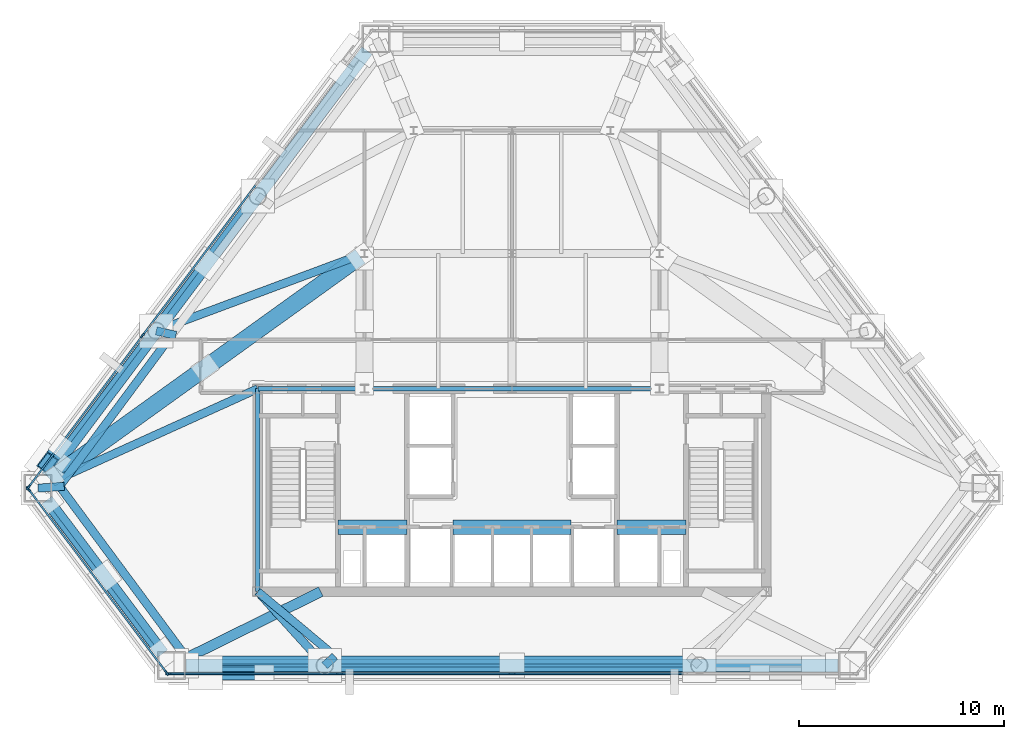
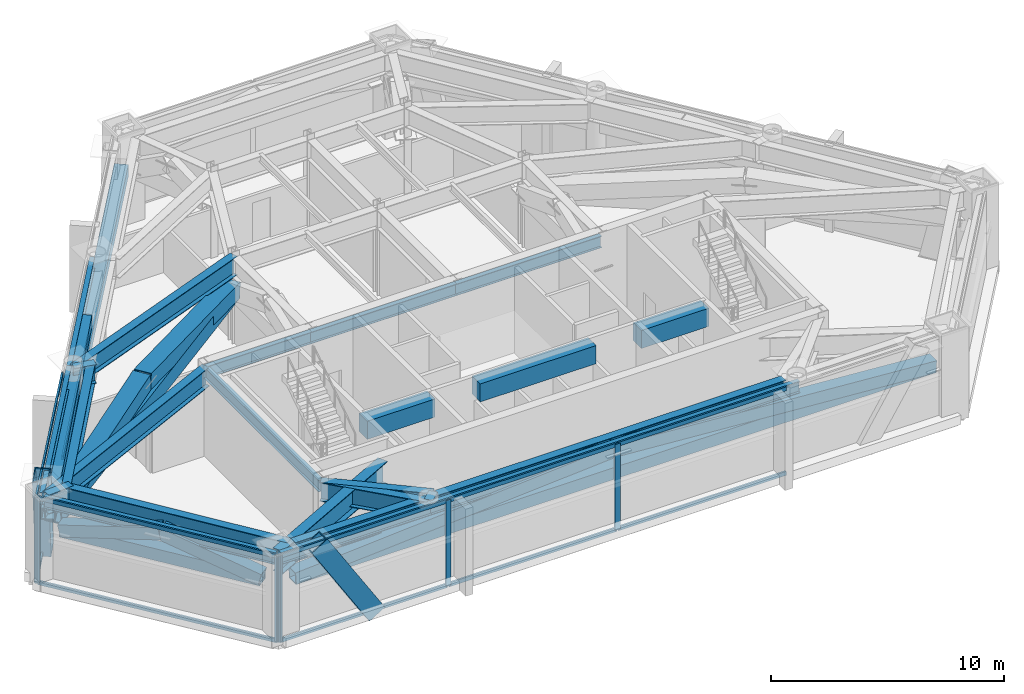
# One storey, part 2 of 9: 31 members, 24 beams, 3 elements without a shape of their own.
"""IFC4 building model written with IfcOpenShell, lengths in metres."""

from ifc_helpers import new_model, si_unit, direction, frame, origin, origin_2d, place, context, subcontext, project, spatial, rectangle, hollow_rectangle, i_section, extrude, material, layer, layer_set, material_profile, profile_set, type_object, element, aggregate, save


model = new_model("IFC4")

# Units and contexts
model_context = context("Model", 3, precision=1e-05, world=origin(), true_north=direction((0.0, 1.0)))
body_context = subcontext(model_context, "Body", "Model", "MODEL_VIEW")
ifc_project = project(units=[si_unit("LENGTHUNIT", "METRE"), si_unit("AREAUNIT", "SQUARE_METRE"), si_unit("VOLUMEUNIT", "CUBIC_METRE"), si_unit("PLANEANGLEUNIT", "RADIAN"), si_unit("MASSUNIT", "GRAM", prefix="KILO")], contexts=[model_context])

# Site, building, storey
site_placement = place(None, origin())
site = spatial("IfcSite", under=ifc_project, at=site_placement, CompositionType="ELEMENT")
building_placement = place(site_placement, origin())
building = spatial("IfcBuilding", under=site, at=building_placement, Name="Talgorran Terracotta Tower", CompositionType="ELEMENT")
storey_placement = place(building_placement, frame((0.0, 0.0, 90.0)))
storey = spatial("IfcBuildingStorey", under=building, at=storey_placement, Name="L23", CompositionType="ELEMENT", Elevation=90.0)

# Beams
ifc_material_1 = material(Name="Steel Grade 350 (350L0)", Category="steel")
ifc_material_profile_1 = material_profile(ifc_material_1, i_section(OverallWidth=0.39990234375, OverallDepth=1.0, WebThickness=0.01611328125, FlangeThickness=0.031005859375, at=origin_2d()), Name="1000WB296")
ifc_profile_set_1 = profile_set([ifc_material_profile_1], Name="Steel Grade 350 (350L0)")
beam_type_1 = type_object("IfcBeamType", Name="BM_1000WB296", PredefinedType="BEAM", material=ifc_profile_set_1)
beam_1_placement = place(storey_placement, frame((-9.1376953125, -17.7021484375, 4.02001953125), z_axis=(-0.671276308116, 0.741207203259, 0.0), x_axis=(-0.741207203259, -0.671276308116, 0.0)))
element("IfcBeam", 1, at=beam_1_placement, inside=storey, type_object=beam_type_1, Name="L23 South-West Core Tie Beam", PredefinedType="BEAM", context=body_context, shape_type="SweptSolid", body=[
    extrude(i_section(OverallWidth=0.39990234375, OverallDepth=1.0, WebThickness=0.01611328125, FlangeThickness=0.031005859375, at=origin_2d()), origin(), (0.0, 0.0, 1.0), 4.859619140625),
])
beam_2_placement = place(storey_placement, frame((-21.988525390625, -9.068603515625, 4.02001953125), z_axis=(0.595169259298, -0.803600368832, 0.0), x_axis=(0.803600368832, 0.595169259298, 0.0)))
element("IfcBeam", 2, at=beam_2_placement, inside=storey, type_object=beam_type_1, Name="L23 Setback Inner Spandrel Girder 1", PredefinedType="BEAM", context=body_context, shape_type="SweptSolid", body=[
    extrude(i_section(OverallWidth=0.39990234375, OverallDepth=1.0, WebThickness=0.01611328125, FlangeThickness=0.031005859375, at=origin_2d()), origin(), (0.0, 0.0, 1.0), 10.317138671875),
])
beam_3_placement = place(storey_placement, frame((-15.70361328125, -17.43212890625, 4.02001953125), z_axis=(1.0, 0.0, 0.0), x_axis=(0.0, 1.0, 0.0)))
element("IfcBeam", 3, at=beam_3_placement, inside=storey, type_object=beam_type_1, Name="L23 Setback Inner Spandrel Girder 2", PredefinedType="BEAM", context=body_context, shape_type="SweptSolid", body=[
    extrude(i_section(OverallWidth=0.39990234375, OverallDepth=1.0, WebThickness=0.01611328125, FlangeThickness=0.031005859375, at=origin_2d()), origin(), (0.0, 0.0, 1.0), 7.066650390625),
])
beam_4_placement = place(storey_placement, frame((-8.636962890625, -17.43212890625, 4.02001953125), z_axis=(1.0, 0.0, 0.0), x_axis=(0.0, 1.0, 0.0)))
element("IfcBeam", 4, at=beam_4_placement, inside=storey, type_object=beam_type_1, Name="L23 Setback Inner Spandrel Girder 3", PredefinedType="BEAM", context=body_context, shape_type="SweptSolid", body=[
    extrude(i_section(OverallWidth=0.39990234375, OverallDepth=1.0, WebThickness=0.01611328125, FlangeThickness=0.031005859375, at=origin_2d()), origin(), (0.0, 0.0, 1.0), 17.27392578125),
])
beam_5_placement = place(storey_placement, frame((-16.535400390625, -1.49169921875, 4.02001953125), z_axis=(-0.595171471605, -0.80359873033, 0.0), x_axis=(0.80359873033, -0.595171471605, 0.0)))
element("IfcBeam", 5, at=beam_5_placement, inside=storey, type_object=beam_type_1, Name="L23 Setback Inner Spandrel Girder 12", PredefinedType="BEAM", context=body_context, shape_type="SweptSolid", body=[
    extrude(i_section(OverallWidth=0.39990234375, OverallDepth=1.0, WebThickness=0.01611328125, FlangeThickness=0.031005859375, at=origin_2d()), origin(), (0.0, 0.0, 1.0), 9.162353515625),
])
beam_6_placement = place(storey_placement, frame((-23.119384765625, -9.0517578125, 4.02001953125), z_axis=(0.997501168937, 0.070649967938, 0.0), x_axis=(-0.070649967938, 0.997501168937, 0.0)))
element("IfcBeam", 6, at=beam_6_placement, inside=storey, type_object=beam_type_1, Name="L23 Perimeter Step Girder 1A", PredefinedType="BEAM", context=body_context, shape_type="SweptSolid", body=[
    extrude(i_section(OverallWidth=0.39990234375, OverallDepth=1.0, WebThickness=0.01611328125, FlangeThickness=0.031005859375, at=origin_2d()), origin(), (0.0, 0.0, 1.0), 1.278564453125),
])
beam_7_placement = place(storey_placement, frame((-9.1376953125, -17.7021484375, 4.02001953125), z_axis=(0.743816871695, 0.668383468812, 0.0), x_axis=(-0.668383468812, 0.743816871695, 0.0)))
element("IfcBeam", 7, at=beam_7_placement, inside=storey, type_object=beam_type_1, Name="L23 Perimeter Step Girder 3A", PredefinedType="BEAM", context=body_context, shape_type="SweptSolid", body=[
    extrude(i_section(OverallWidth=0.39990234375, OverallDepth=1.0, WebThickness=0.01611328125, FlangeThickness=0.031005859375, at=origin_2d()), origin(), (0.0, 0.0, 1.0), 0.673095703125),
])
beam_8_placement = place(storey_placement, frame((-8.636962890625, -17.252197265625, 4.02001953125), z_axis=(-0.766584003148, 0.642144038451, 0.0), x_axis=(-0.642144038451, -0.766584003148, 0.0)))
element("IfcBeam", 8, at=beam_8_placement, inside=storey, type_object=beam_type_1, Name="L23 Perimeter Step Girder 3B", PredefinedType="BEAM", context=body_context, shape_type="SweptSolid", body=[
    extrude(i_section(OverallWidth=0.39990234375, OverallDepth=1.0, WebThickness=0.01611328125, FlangeThickness=0.031005859375, at=origin_2d()), origin(), (0.0, 0.0, 1.0), 4.90869140625),
])
beam_9_placement = place(storey_placement, frame((-17.3505859375, -1.380859375, 4.02001953125), z_axis=(0.975154782361, -0.221524604591, 0.0), x_axis=(0.221524604591, 0.975154782361, 0.0)))
element("IfcBeam", 9, at=beam_9_placement, inside=storey, type_object=beam_type_1, Name="L23 Perimeter Step Girder 12A", PredefinedType="BEAM", context=body_context, shape_type="SweptSolid", body=[
    extrude(i_section(OverallWidth=0.39990234375, OverallDepth=1.0, WebThickness=0.01611328125, FlangeThickness=0.031005859375, at=origin_2d()), origin(), (0.0, 0.0, 1.0), 0.984130859375),
])
beam_10_placement = place(storey_placement, frame((-7.199951171875, 2.39990234375, 4.02001953125), z_axis=(-0.93710770278, -0.34904033204, 0.0), x_axis=(0.34904033204, -0.93710770278, 0.0)))
element("IfcBeam", 10, at=beam_10_placement, inside=storey, type_object=beam_type_1, Name="L23 Floor Girder G06", PredefinedType="BEAM", context=body_context, shape_type="SweptSolid", body=[
    extrude(i_section(OverallWidth=0.39990234375, OverallDepth=1.0, WebThickness=0.01611328125, FlangeThickness=0.031005859375, at=origin_2d()), origin(), (0.0, 0.0, 1.0), 10.831787109375),
])
beam_11_placement = place(storey_placement, frame((-12.39990234375, -4.199951171875, 4.02001953125), z_axis=(-0.911027575062, -0.412345434651, 0.0), x_axis=(0.412345434651, -0.911027575062, 0.0)))
element("IfcBeam", 11, at=beam_11_placement, inside=storey, type_object=beam_type_1, Name="L23 Floor Girder G17", PredefinedType="BEAM", context=body_context, shape_type="SweptSolid", body=[
    extrude(i_section(OverallWidth=0.39990234375, OverallDepth=1.0, WebThickness=0.01611328125, FlangeThickness=0.031005859375, at=origin_2d()), origin(), (0.0, 0.0, 1.0), 11.766357421875),
])
ifc_material_profile_2 = material_profile(ifc_material_1, i_section(OverallWidth=0.5, OverallDepth=1.199951171875, WebThickness=0.01611328125, FlangeThickness=0.035888671875, at=origin_2d()), Name="1200WB392")
ifc_profile_set_2 = profile_set([ifc_material_profile_2], Name="Steel Grade 350 (350L0)")
beam_type_2 = type_object("IfcBeamType", Name="BM_1200WB392", PredefinedType="BEAM", material=ifc_profile_set_2)
beam_12_placement = place(storey_placement, frame((-16.61376953125, -17.7021484375, 3.919921875), z_axis=(0.896430694935, 0.443183945082, 0.0), x_axis=(-0.443183945082, 0.896430694935, 0.0)))
element("IfcBeam", 12, at=beam_12_placement, inside=storey, type_object=beam_type_2, Name="L23 Perimeter Step Girder 2", PredefinedType="BEAM", context=body_context, shape_type="SweptSolid", body=[
    extrude(i_section(OverallWidth=0.5, OverallDepth=1.199951171875, WebThickness=0.01611328125, FlangeThickness=0.035888671875, at=origin_2d()), origin(), (0.0, 0.0, 1.0), 8.127685546875),
])
ifc_material_2 = material(Name="Concrete C65/80", Category="concrete")
ifc_material_profile_3 = material_profile(ifc_material_2, rectangle(XDim=0.699951171875, YDim=0.949951171875, at=origin_2d()), Name="RCCB700X950")
ifc_profile_set_3 = profile_set([ifc_material_profile_3], Name="Concrete C65/80")
beam_type_3 = type_object("IfcBeamType", Name="BM_CB_700X950", PredefinedType="LINTEL", material=ifc_profile_set_3)
beam_13_placement = place(storey_placement, frame((-8.47998046875, -10.949951171875, 4.044921875), z_axis=(1.0, 0.0, 0.0), x_axis=(0.0, 1.0, 0.0)))
element("IfcBeam", 13, at=beam_13_placement, inside=storey, type_object=beam_type_3, Name="L23 Core Shear-Wall Coupling Beam CB1", PredefinedType="LINTEL", context=body_context, shape_type="SweptSolid", body=[
    extrude(rectangle(XDim=0.699951171875, YDim=0.949951171875, at=origin_2d()), origin(), (0.0, 0.0, 1.0), 3.35986328125),
])
beam_14_placement = place(storey_placement, frame((-2.8798828125, -10.949951171875, 4.044921875), z_axis=(1.0, 0.0, 0.0), x_axis=(0.0, 1.0, 0.0)))
element("IfcBeam", 14, at=beam_14_placement, inside=storey, type_object=beam_type_3, Name="L23 Core Shear-Wall Coupling Beam CB2", PredefinedType="LINTEL", context=body_context, shape_type="SweptSolid", body=[
    extrude(rectangle(XDim=0.699951171875, YDim=0.949951171875, at=origin_2d()), origin(), (0.0, 0.0, 1.0), 5.759765625),
])
beam_15_placement = place(storey_placement, frame((5.1201171875, -10.949951171875, 4.044921875), z_axis=(1.0, 0.0, 0.0), x_axis=(0.0, 1.0, 0.0)))
element("IfcBeam", 15, at=beam_15_placement, inside=storey, type_object=beam_type_3, Name="L23 Core Shear-Wall Coupling Beam CB3", PredefinedType="LINTEL", context=body_context, shape_type="SweptSolid", body=[
    extrude(rectangle(XDim=0.699951171875, YDim=0.949951171875, at=origin_2d()), origin(), (0.0, 0.0, 1.0), 3.35986328125),
])
ifc_material_3 = material(Name="Steel S355 (300PLUS)", Category="steel")
ifc_material_profile_4 = material_profile(ifc_material_3, i_section(OverallWidth=0.22900390625, OverallDepth=0.611572265625, WebThickness=0.011962890625, FlangeThickness=0.01953125, at=origin_2d()), Name="610UB125")
ifc_profile_set_4 = profile_set([ifc_material_profile_4], Name="Steel S355 (300PLUS)")
beam_type_4 = type_object("IfcBeamType", Name="BM_SP_610UB125", PredefinedType="SPANDREL", material=ifc_profile_set_4)
beam_16_placement = place(storey_placement, frame((-23.263427734375, -9.159912109375, 4.214111328125), z_axis=(0.601053302012, -0.799208938976, 0.0), x_axis=(0.799208938976, 0.601053302012, 0.0)))
element("IfcBeam", 16, at=beam_16_placement, inside=storey, type_object=beam_type_4, Name="L23 Perimeter Spandrel Beam MC1-MC2", PredefinedType="SPANDREL", context=body_context, shape_type="SweptSolid", body=[
    extrude(i_section(OverallWidth=0.22900390625, OverallDepth=0.611572265625, WebThickness=0.011962890625, FlangeThickness=0.01953125, at=origin_2d()), origin(), (0.0, 0.0, 1.0), 10.82373046875),
])
beam_17_placement = place(storey_placement, frame((-16.61376953125, -17.882080078125, 4.214111328125), z_axis=(1.0, 0.0, 0.0), x_axis=(0.0, 1.0, 0.0)))
element("IfcBeam", 17, at=beam_17_placement, inside=storey, type_object=beam_type_4, Name="L23 Perimeter Spandrel Beam MC2-FC1", PredefinedType="SPANDREL", context=body_context, shape_type="SweptSolid", body=[
    extrude(i_section(OverallWidth=0.22900390625, OverallDepth=0.611572265625, WebThickness=0.011962890625, FlangeThickness=0.01953125, at=origin_2d()), origin(), (0.0, 0.0, 1.0), 7.47607421875),
])
beam_18_placement = place(storey_placement, frame((-9.1376953125, -17.882080078125, 4.214111328125), z_axis=(1.0, 0.0, 0.0), x_axis=(0.0, 1.0, 0.0)))
element("IfcBeam", 18, at=beam_18_placement, inside=storey, type_object=beam_type_4, Name="L23 Perimeter Spandrel Beam FC1-FC2", PredefinedType="SPANDREL", context=body_context, shape_type="SweptSolid", body=[
    extrude(i_section(OverallWidth=0.22900390625, OverallDepth=0.611572265625, WebThickness=0.011962890625, FlangeThickness=0.01953125, at=origin_2d()), origin(), (0.0, 0.0, 1.0), 18.275390625),
])
beam_19_placement = place(storey_placement, frame((-12.5498046875, 5.302490234375, 4.214111328125), z_axis=(-0.601025104516, -0.799230144415, 0.0), x_axis=(0.799230144415, -0.601025104516, 0.0)))
element("IfcBeam", 19, at=beam_19_placement, inside=storey, type_object=beam_type_4, Name="L23 Perimeter Spandrel Beam FC5-FC6", PredefinedType="SPANDREL", context=body_context, shape_type="SweptSolid", body=[
    extrude(i_section(OverallWidth=0.22900390625, OverallDepth=0.611572265625, WebThickness=0.011962890625, FlangeThickness=0.01953125, at=origin_2d()), origin(), (0.0, 0.0, 1.0), 8.226806640625),
])
beam_20_placement = place(storey_placement, frame((-17.494384765625, -1.272705078125, 4.214111328125), z_axis=(-0.601057621452, -0.799205690479, 0.0), x_axis=(0.799205690479, -0.601057621452, 0.0)))
element("IfcBeam", 20, at=beam_20_placement, inside=storey, type_object=beam_type_4, Name="L23 Perimeter Spandrel Beam FC6-MC1", PredefinedType="SPANDREL", context=body_context, shape_type="SweptSolid", body=[
    extrude(i_section(OverallWidth=0.22900390625, OverallDepth=0.611572265625, WebThickness=0.011962890625, FlangeThickness=0.01953125, at=origin_2d()), origin(), (0.0, 0.0, 1.0), 9.59814453125),
])
beam_21_placement = place(storey_placement, frame((-12.39990234375, -14.10009765625, 4.214111328125), z_axis=(0.0, 1.0, 0.0), x_axis=(-1.0, 0.0, 0.0)))
element("IfcBeam", 21, at=beam_21_placement, inside=storey, type_object=beam_type_4, Name="L23 Core Frame Beam CFW", PredefinedType="SPANDREL", context=body_context, shape_type="SweptSolid", body=[
    extrude(i_section(OverallWidth=0.22900390625, OverallDepth=0.611572265625, WebThickness=0.011962890625, FlangeThickness=0.01953125, at=origin_2d()), origin(), (0.0, 0.0, 1.0), 9.900146484375),
])
beam_22_placement = place(storey_placement, frame((-12.39990234375, -4.199951171875, 4.214111328125), z_axis=(1.0, 0.0, 0.0), x_axis=(0.0, 1.0, 0.0)))
element("IfcBeam", 22, at=beam_22_placement, inside=storey, type_object=beam_type_4, Name="L23 Core Frame Beam CFN1", PredefinedType="SPANDREL", context=body_context, shape_type="SweptSolid", body=[
    extrude(i_section(OverallWidth=0.22900390625, OverallDepth=0.611572265625, WebThickness=0.011962890625, FlangeThickness=0.01953125, at=origin_2d()), origin(), (0.0, 0.0, 1.0), 5.199951171875),
])
for number, where, z_axis, x_axis, name in (
    (23, (-7.199951171875, -4.199951171875, 4.214111328125), (1.0, 0.0, 0.0), (0.0, 1.0, 0.0), "L23 Core Frame Beam CFN2"),
    (24, (0.0, -4.199951171875, 4.214111328125), (1.0, 0.0, 0.0), (0.0, 1.0, 0.0), "L23 Core Frame Beam CFN3"),
):
    element("IfcBeam", number, at=place(storey_placement, frame(where, z_axis=z_axis, x_axis=x_axis)), inside=storey, type_object=beam_type_4, Name=name, PredefinedType="SPANDREL", context=body_context, shape_type="SweptSolid", body=[
        extrude(i_section(OverallWidth=0.22900390625, OverallDepth=0.611572265625, WebThickness=0.011962890625, FlangeThickness=0.01953125, at=origin_2d()), origin(), (0.0, 0.0, 1.0), 7.199951171875),
    ])

# Members
ifc_material_profile_5 = material_profile(ifc_material_1, hollow_rectangle(XDim=0.6201171875, YDim=0.6201171875, WallThickness=0.034912109375, at=origin_2d()), Name="WBOX620X620X35")
ifc_profile_set_5 = profile_set([ifc_material_profile_5], Name="Steel Grade 350 (350L0)")
member_type_1 = type_object("IfcMemberType", Name="MB_BELT_CHORD", PredefinedType="CHORD", material=ifc_profile_set_5)
member_1_placement = place(storey_placement, frame((-22.686767578125, -9.627197265625, 2.919921875), z_axis=(0.601056828096, -0.799206287137, 0.0), x_axis=(0.799206287137, 0.601056828096, 0.0)))
element("IfcMember", 25, at=member_1_placement, inside=storey, type_object=member_type_1, Name="L23 Belt Truss Chord BT1", PredefinedType="CHORD", context=body_context, shape_type="SweptSolid", body=[
    extrude(hollow_rectangle(XDim=0.6201171875, YDim=0.6201171875, WallThickness=0.034912109375, at=origin_2d()), origin(), (0.0, 0.0, 1.0), 9.3837890625),
])
member_2_placement = place(storey_placement, frame((-15.893798828125, -17.7021484375, 2.919921875), z_axis=(1.0, 0.0, 0.0), x_axis=(0.0, 1.0, 0.0)))
element("IfcMember", 26, at=member_2_placement, inside=storey, type_object=member_type_1, Name="L23 Belt Truss Chord BT2", PredefinedType="CHORD", context=body_context, shape_type="SweptSolid", body=[
    extrude(hollow_rectangle(XDim=0.6201171875, YDim=0.6201171875, WallThickness=0.034912109375, at=origin_2d()), origin(), (0.0, 0.0, 1.0), 31.78759765625),
])
member_3_placement = place(storey_placement, frame((-7.06982421875, 12.289794921875, 2.919921875), z_axis=(-0.601042837029, -0.799216809168, 0.0), x_axis=(0.799216809168, -0.601042837029, 0.0)))
element("IfcMember", 27, at=member_3_placement, inside=storey, type_object=member_type_1, Name="L23 Belt Truss Chord BT6", PredefinedType="CHORD", context=body_context, shape_type="SweptSolid", body=[
    extrude(hollow_rectangle(XDim=0.6201171875, YDim=0.6201171875, WallThickness=0.034912109375, at=origin_2d()), origin(), (0.0, 0.0, 1.0), 25.983154296875),
])
ifc_material_profile_6 = material_profile(ifc_material_1, hollow_rectangle(XDim=0.6201171875, YDim=0.6201171875, WallThickness=0.034912109375, at=origin_2d()), Name="WBOX620X620X35")
ifc_profile_set_6 = profile_set([ifc_material_profile_6], Name="Steel Grade 350 (350L0)")
member_type_2 = type_object("IfcMemberType", Name="MB_BELT_DIAG", PredefinedType="BRACE", material=ifc_profile_set_6)
for number, where, z_axis, x_axis, name in (
    (28, (-22.686767578125, -9.627197265625, 2.919921875), (0.584059567146, -0.776605565907, 0.236131778943), (0.799206287137, 0.601056828096, 0.0), "L23 Belt Truss Diagonal BT1-1"),
    (29, (-19.86669921875, -13.376953125, 4.06005859375), (0.584059567146, -0.776605565907, -0.236131778943), (0.799206287137, 0.601056828096, 0.0), "L23 Belt Truss Diagonal BT1-2"),
):
    element("IfcMember", number, at=place(storey_placement, frame(where, z_axis=z_axis, x_axis=x_axis)), inside=storey, type_object=member_type_2, Name=name, PredefinedType="BRACE", context=body_context, shape_type="SweptSolid", body=[
        extrude(hollow_rectangle(XDim=0.6201171875, YDim=0.6201171875, WallThickness=0.034912109375, at=origin_2d()), origin(), (0.0, 0.0, 1.0), 4.828369140625),
    ])
for number, where, z_axis, x_axis, name in (
    (30, (-15.893798828125, -17.7021484375, 2.919921875), (0.997436954768, 0.0, 0.071550829922), (0.0, 1.0, 0.0), "L23 Belt Truss Diagonal BT2-1"),
    (31, (0.0, -17.7021484375, 4.06005859375), (0.997436954768, 0.0, -0.071550829922), (0.0, 1.0, 0.0), "L23 Belt Truss Diagonal BT2-2"),
):
    element("IfcMember", number, at=place(storey_placement, frame(where, z_axis=z_axis, x_axis=x_axis)), inside=storey, type_object=member_type_2, Name=name, PredefinedType="BRACE", context=body_context, shape_type="SweptSolid", body=[
        extrude(hollow_rectangle(XDim=0.6201171875, YDim=0.6201171875, WallThickness=0.034912109375, at=origin_2d()), origin(), (0.0, 0.0, 1.0), 15.9345703125),
    ])
member_4_placement = place(storey_placement, frame((-14.878173828125, 1.90673828125, 4.06005859375), z_axis=(-0.598747568079, -0.796152304992, -0.087423434934), x_axis=(0.799212295608, -0.601048838739, 0.0)))
element("IfcMember", 32, at=member_4_placement, inside=storey, type_object=member_type_2, Name="L23 Belt Truss Diagonal BT6-2", PredefinedType="BRACE", context=body_context, shape_type="SweptSolid", body=[
    extrude(hollow_rectangle(XDim=0.6201171875, YDim=0.6201171875, WallThickness=0.034912109375, at=origin_2d()), origin(), (0.0, 0.0, 1.0), 13.04150390625),
])
ifc_material_profile_7 = material_profile(ifc_material_1, hollow_rectangle(XDim=0.699951171875, YDim=0.89990234375, WallThickness=0.050048828125, at=origin_2d()), Name="WBOX900X700X50")
ifc_profile_set_7 = profile_set([ifc_material_profile_7], Name="Steel Grade 350 (350L0)")
member_type_3 = type_object("IfcMemberType", Name="MB_MEGA_900", PredefinedType="BRACE", material=ifc_profile_set_7)
member_5_placement = place(storey_placement, frame((-12.09130859375, -18.062255859375, -0.02490234375), z_axis=(-0.52984416764, 0.0, 0.848095017093), x_axis=(0.0, -1.0, 0.0)))
element("IfcMember", 33, at=member_5_placement, inside=storey, type_object=member_type_3, Name="L23 Exterior Face Mega-Brace MB-1 (SWF)", PredefinedType="BRACE", context=body_context, shape_type="SweptSolid", body=[
    extrude(hollow_rectangle(XDim=0.699951171875, YDim=0.89990234375, WallThickness=0.050048828125, at=origin_2d()), origin(), (0.0, 0.0, 1.0), 5.388427734375),
])
member_6_placement = place(storey_placement, frame((-22.028564453125, -7.002197265625, -0.02490234375), z_axis=(-0.132317239665, -0.175936589645, 0.97546833086), x_axis=(0.79920388083, -0.601060027674, 0.0)))
element("IfcMember", 34, at=member_6_placement, inside=storey, type_object=member_type_3, Name="L23 Exterior Face Mega-Brace MB-1 (NWL)", PredefinedType="BRACE", context=body_context, shape_type="SweptSolid", body=[
    extrude(hollow_rectangle(XDim=0.699951171875, YDim=0.89990234375, WallThickness=0.050048828125, at=origin_2d()), origin(), (0.0, 0.0, 1.0), 4.684814453125),
])
ifc_material_profile_8 = material_profile(ifc_material_1, hollow_rectangle(XDim=0.820068359375, YDim=0.820068359375, WallThickness=0.044921875, at=origin_2d()), Name="WBOX820X820X45")
ifc_profile_set_8 = profile_set([ifc_material_profile_8], Name="Steel Grade 350 (350L0)")
member_type_4 = type_object("IfcMemberType", Name="MB_OUT_CHORD", PredefinedType="CHORD", material=ifc_profile_set_8)
member_7_placement = place(storey_placement, frame((-7.40283203125, 2.25390625, 2.919921875), z_axis=(-0.811784675444, -0.583956882582, 0.0), x_axis=(0.583956882582, -0.811784675444, 0.0)))
element("IfcMember", 35, at=member_7_placement, inside=storey, type_object=member_type_4, Name="L23 Outrigger Bottom Chord OR3", PredefinedType="CHORD", context=body_context, shape_type="SweptSolid", body=[
    extrude(hollow_rectangle(XDim=0.820068359375, YDim=0.820068359375, WallThickness=0.044921875, at=origin_2d()), origin(), (0.0, 0.0, 1.0), 18.640625),
])
ifc_material_profile_9 = material_profile(ifc_material_1, hollow_rectangle(XDim=0.820068359375, YDim=0.820068359375, WallThickness=0.044921875, at=origin_2d()), Name="WBOX820X820X45")
ifc_profile_set_9 = profile_set([ifc_material_profile_9], Name="Steel Grade 350 (350L0)")
member_type_5 = type_object("IfcMemberType", Name="MB_OUT_DIAG", PredefinedType="BRACE", material=ifc_profile_set_9)
member_8_placement = place(storey_placement, frame((-7.40283203125, 2.25390625, 2.919921875), z_axis=(-0.805782643983, -0.579629972647, 0.121422508064), x_axis=(0.583950673885, -0.811789141631, 0.0)))
element("IfcMember", 36, at=member_8_placement, inside=storey, type_object=member_type_5, Name="L23 Outrigger Web Diagonal OR3-1", PredefinedType="BRACE", context=body_context, shape_type="SweptSolid", body=[
    extrude(hollow_rectangle(XDim=0.820068359375, YDim=0.820068359375, WallThickness=0.044921875, at=origin_2d()), origin(), (0.0, 0.0, 1.0), 9.389892578125),
])
member_9_placement = place(storey_placement, frame((-14.968994140625, -3.188720703125, 4.06005859375), z_axis=(-0.805773524936, -0.579642116534, -0.121425051999), x_axis=(0.583963091377, -0.811780209114, 0.0)))
element("IfcMember", 37, at=member_9_placement, inside=storey, type_object=member_type_5, Name="L23 Outrigger Web Diagonal OR3-2", PredefinedType="BRACE", context=body_context, shape_type="SweptSolid", body=[
    extrude(hollow_rectangle(XDim=0.820068359375, YDim=0.820068359375, WallThickness=0.044921875, at=origin_2d()), origin(), (0.0, 0.0, 1.0), 9.3896484375),
])

# Curtain wall, members
ifc_material_4 = material(Name="Anodised Aluminium Louvre", Category="aluminium")
ifc_layer = layer(ifc_material_4, 0.25, Name="CW_SYS4_LOUVRE")
ifc_layer_set = layer_set([ifc_layer], Name="Anodised Aluminium Louvre")
curtain_wall_type = type_object("IfcCurtainWallType", Name="CW_SYS4_LOUVRE", PredefinedType="NOTDEFINED", material=ifc_layer_set)
curtain_wall_1_placement = place(storey_placement, origin())
curtain_wall_1 = element("IfcCurtainWall", 38, at=curtain_wall_1_placement, inside=storey, type_object=curtain_wall_type, Name="CW-L23-F0", PredefinedType="NOTDEFINED")
ifc_material_5 = material(Name="Architectural Aluminium 6063-T6", Category="aluminium")
ifc_material_profile_10 = material_profile(ifc_material_5, rectangle(XDim=0.0849609375, YDim=0.260009765625, at=origin_2d()), Name="CWM85X260")
ifc_profile_set_10 = profile_set([ifc_material_profile_10], Name="Architectural Aluminium 6063-T6")
member_type_6 = type_object("IfcMemberType", Name="MUL_85X260", PredefinedType="MULLION", material=ifc_profile_set_10)
member_10_placement = place(storey_placement, frame((-23.594482421875, -9.085693359375, 0.0), z_axis=(0.0, 0.0, 1.0), x_axis=(0.799209855428, 0.601052083423, 0.0)))
member_10 = element("IfcMember", 39, at=member_10_placement, type_object=member_type_6, Name="CW-L23-0 mullion 1", PredefinedType="MULLION", context=body_context, shape_type="SweptSolid", body=[
    extrude(rectangle(XDim=0.0849609375, YDim=0.260009765625, at=origin_2d()), origin(), (0.0, 0.0, 1.0), 4.52001953125),
])
member_11_placement = place(storey_placement, frame((-16.839111328125, -18.068115234375, 0.0), z_axis=(0.0, 0.0, 1.0), x_axis=(0.799209855428, 0.601052083423, 0.0)))
member_11 = element("IfcMember", 40, at=member_11_placement, type_object=member_type_6, Name="CW-L23-0 mullion 2", PredefinedType="MULLION", context=body_context, shape_type="SweptSolid", body=[
    extrude(rectangle(XDim=0.0849609375, YDim=0.260009765625, at=origin_2d()), origin(), (0.0, 0.0, 1.0), 4.52001953125),
])

curtain_wall_2_placement = place(storey_placement, origin())
curtain_wall_2 = element("IfcCurtainWall", 41, at=curtain_wall_2_placement, inside=storey, type_object=curtain_wall_type, Name="CW-L23-F1", PredefinedType="NOTDEFINED")
member_12_placement = place(storey_placement, frame((-16.77099609375, -18.102294921875, 0.0), z_axis=(0.0, 0.0, 1.0), x_axis=(0.0, 1.0, 0.0)))
member_12 = element("IfcMember", 42, at=member_12_placement, type_object=member_type_6, Name="CW-L23-1 mullion 1", PredefinedType="MULLION", context=body_context, shape_type="SweptSolid", body=[
    extrude(rectangle(XDim=0.0849609375, YDim=0.260009765625, at=origin_2d()), origin(), (0.0, 0.0, 1.0), 4.52001953125),
])
member_13_placement = place(storey_placement, frame((-8.40673828125, -18.102294921875, 0.0), z_axis=(0.0, 0.0, 1.0), x_axis=(0.0, 1.0, 0.0)))
member_13 = element("IfcMember", 43, at=member_13_placement, type_object=member_type_6, Name="CW-L23-1 mullion 2", PredefinedType="MULLION", context=body_context, shape_type="SweptSolid", body=[
    extrude(rectangle(XDim=0.0849609375, YDim=0.260009765625, at=origin_2d()), origin(), (0.0, 0.0, 1.0), 4.52001953125),
])
member_14_placement = place(storey_placement, frame((0.0, -18.102294921875, 0.0), z_axis=(0.0, 0.0, 1.0), x_axis=(0.0, 1.0, 0.0)))
member_14 = element("IfcMember", 44, at=member_14_placement, type_object=member_type_6, Name="CW-L23-1 mullion 3", PredefinedType="MULLION", context=body_context, shape_type="SweptSolid", body=[
    extrude(rectangle(XDim=0.0849609375, YDim=0.260009765625, at=origin_2d()), origin(), (0.0, 0.0, 1.0), 4.52001953125),
])

curtain_wall_3_placement = place(storey_placement, origin())
curtain_wall_3 = element("IfcCurtainWall", 45, at=curtain_wall_3_placement, inside=storey, type_object=curtain_wall_type, Name="CW-L23-F5", PredefinedType="NOTDEFINED")
member_15_placement = place(storey_placement, frame((-18.025634765625, -1.61279296875, 0.0), z_axis=(0.0, 0.0, 1.0), x_axis=(0.799213737843, -0.601046921, 0.0)))
member_15 = element("IfcMember", 46, at=member_15_placement, type_object=member_type_6, Name="CW-L23-5 mullion 3", PredefinedType="MULLION", context=body_context, shape_type="SweptSolid", body=[
    extrude(rectangle(XDim=0.0849609375, YDim=0.260009765625, at=origin_2d()), origin(), (0.0, 0.0, 1.0), 4.52001953125),
])
member_16_placement = place(storey_placement, frame((-23.594482421875, -9.017822265625, 0.0), z_axis=(0.0, 0.0, 1.0), x_axis=(0.799213737843, -0.601046921, 0.0)))
member_16 = element("IfcMember", 47, at=member_16_placement, type_object=member_type_6, Name="CW-L23-5 mullion 4", PredefinedType="MULLION", context=body_context, shape_type="SweptSolid", body=[
    extrude(rectangle(XDim=0.0849609375, YDim=0.260009765625, at=origin_2d()), origin(), (0.0, 0.0, 1.0), 4.52001953125),
])

# Member
ifc_material_profile_11 = material_profile(ifc_material_5, rectangle(XDim=0.0849609375, YDim=0.2099609375, at=origin_2d()), Name="CWT85X210")
ifc_profile_set_11 = profile_set([ifc_material_profile_11], Name="Architectural Aluminium 6063-T6")
member_type_7 = type_object("IfcMemberType", Name="TRN_85X210", PredefinedType="USERDEFINED", material=ifc_profile_set_11)
member_17_placement = place(storey_placement, frame((-23.56884765625, -9.11962890625, 0.04248046875), z_axis=(0.601057087513, -0.799206092038, 0.0), x_axis=(0.799206092038, 0.601057087513, 0.0)))
member_17 = element("IfcMember", 48, at=member_17_placement, type_object=member_type_7, Name="CW-L23-0 transom 1.1", ObjectType="TRANSOM", PredefinedType="USERDEFINED", context=body_context, shape_type="SweptSolid", body=[
    extrude(rectangle(XDim=0.0849609375, YDim=0.2099609375, at=origin_2d()), origin(), (0.0, 0.0, 1.0), 11.154296875),
])

member_18_placement = place(storey_placement, frame((-23.56884765625, -9.11962890625, 4.4775390625), z_axis=(0.601057087513, -0.799206092038, 0.0), x_axis=(0.799206092038, 0.601057087513, 0.0)))
member_18 = element("IfcMember", 49, at=member_18_placement, type_object=member_type_7, Name="CW-L23-0 transom 1.2", ObjectType="TRANSOM", PredefinedType="USERDEFINED", context=body_context, shape_type="SweptSolid", body=[
    extrude(rectangle(XDim=0.0849609375, YDim=0.2099609375, at=origin_2d()), origin(), (0.0, 0.0, 1.0), 11.154296875),
])

aggregate(curtain_wall_1, [member_10, member_11, member_17, member_18])

member_19_placement = place(storey_placement, frame((-16.728515625, -18.102294921875, 0.04248046875), z_axis=(1.0, 0.0, 0.0), x_axis=(0.0, 1.0, 0.0)))
member_19 = element("IfcMember", 50, at=member_19_placement, type_object=member_type_7, Name="CW-L23-1 transom 1.1", ObjectType="TRANSOM", PredefinedType="USERDEFINED", context=body_context, shape_type="SweptSolid", body=[
    extrude(rectangle(XDim=0.0849609375, YDim=0.2099609375, at=origin_2d()), origin(), (0.0, 0.0, 1.0), 8.279296875),
])

member_20_placement = place(storey_placement, frame((-16.728515625, -18.102294921875, 4.4775390625), z_axis=(1.0, 0.0, 0.0), x_axis=(0.0, 1.0, 0.0)))
member_20 = element("IfcMember", 51, at=member_20_placement, type_object=member_type_7, Name="CW-L23-1 transom 1.2", ObjectType="TRANSOM", PredefinedType="USERDEFINED", context=body_context, shape_type="SweptSolid", body=[
    extrude(rectangle(XDim=0.0849609375, YDim=0.2099609375, at=origin_2d()), origin(), (0.0, 0.0, 1.0), 8.279296875),
])

member_21_placement = place(storey_placement, frame((-8.3642578125, -18.102294921875, 0.04248046875), z_axis=(1.0, 0.0, 0.0), x_axis=(0.0, 1.0, 0.0)))
member_21 = element("IfcMember", 52, at=member_21_placement, type_object=member_type_7, Name="CW-L23-1 transom 2.1", ObjectType="TRANSOM", PredefinedType="USERDEFINED", context=body_context, shape_type="SweptSolid", body=[
    extrude(rectangle(XDim=0.0849609375, YDim=0.2099609375, at=origin_2d()), origin(), (0.0, 0.0, 1.0), 8.32177734375),
])

member_22_placement = place(storey_placement, frame((-8.3642578125, -18.102294921875, 4.4775390625), z_axis=(1.0, 0.0, 0.0), x_axis=(0.0, 1.0, 0.0)))
member_22 = element("IfcMember", 53, at=member_22_placement, type_object=member_type_7, Name="CW-L23-1 transom 2.2", ObjectType="TRANSOM", PredefinedType="USERDEFINED", context=body_context, shape_type="SweptSolid", body=[
    extrude(rectangle(XDim=0.0849609375, YDim=0.2099609375, at=origin_2d()), origin(), (0.0, 0.0, 1.0), 8.32177734375),
])

member_23_placement = place(storey_placement, frame((0.04248046875, -18.102294921875, 0.04248046875), z_axis=(1.0, 0.0, 0.0), x_axis=(0.0, 1.0, 0.0)))
member_23 = element("IfcMember", 54, at=member_23_placement, type_object=member_type_7, Name="CW-L23-1 transom 3.1", ObjectType="TRANSOM", PredefinedType="USERDEFINED", context=body_context, shape_type="SweptSolid", body=[
    extrude(rectangle(XDim=0.0849609375, YDim=0.2099609375, at=origin_2d()), origin(), (0.0, 0.0, 1.0), 8.32177734375),
])

member_24_placement = place(storey_placement, frame((0.04248046875, -18.102294921875, 4.4775390625), z_axis=(1.0, 0.0, 0.0), x_axis=(0.0, 1.0, 0.0)))
member_24 = element("IfcMember", 55, at=member_24_placement, type_object=member_type_7, Name="CW-L23-1 transom 3.2", ObjectType="TRANSOM", PredefinedType="USERDEFINED", context=body_context, shape_type="SweptSolid", body=[
    extrude(rectangle(XDim=0.0849609375, YDim=0.2099609375, at=origin_2d()), origin(), (0.0, 0.0, 1.0), 8.32177734375),
])

aggregate(curtain_wall_2, [member_12, member_13, member_14, member_19, member_20, member_21, member_22, member_23, member_24])

member_25_placement = place(storey_placement, frame((-12.456787109375, 5.792236328125, 0.04248046875), z_axis=(-0.601032942494, -0.799224250156, 0.0), x_axis=(0.799224250156, -0.601032942494, 0.0)))
member_25 = element("IfcMember", 56, at=member_25_placement, type_object=member_type_7, Name="CW-L23-5 transom 2.1", ObjectType="TRANSOM", PredefinedType="USERDEFINED", context=body_context, shape_type="SweptSolid", body=[
    extrude(rectangle(XDim=0.0849609375, YDim=0.2099609375, at=origin_2d()), origin(), (0.0, 0.0, 1.0), 9.222900390625),
])

member_26_placement = place(storey_placement, frame((-18.051025390625, -1.646728515625, 0.04248046875), z_axis=(-0.60104195972, -0.799217468938, 0.0), x_axis=(0.799217468938, -0.60104195972, 0.0)))
member_26 = element("IfcMember", 57, at=member_26_placement, type_object=member_type_7, Name="CW-L23-5 transom 3.1", ObjectType="TRANSOM", PredefinedType="USERDEFINED", context=body_context, shape_type="SweptSolid", body=[
    extrude(rectangle(XDim=0.0849609375, YDim=0.2099609375, at=origin_2d()), origin(), (0.0, 0.0, 1.0), 9.180419921875),
])

member_27_placement = place(storey_placement, frame((-18.051025390625, -1.646728515625, 4.4775390625), z_axis=(-0.60104195972, -0.799217468938, 0.0), x_axis=(0.799217468938, -0.60104195972, 0.0)))
member_27 = element("IfcMember", 58, at=member_27_placement, type_object=member_type_7, Name="CW-L23-5 transom 3.2", ObjectType="TRANSOM", PredefinedType="USERDEFINED", context=body_context, shape_type="SweptSolid", body=[
    extrude(rectangle(XDim=0.0849609375, YDim=0.2099609375, at=origin_2d()), origin(), (0.0, 0.0, 1.0), 9.180419921875),
])

aggregate(curtain_wall_3, [member_15, member_16, member_25, member_26, member_27])

save(model, "model.ifc")
